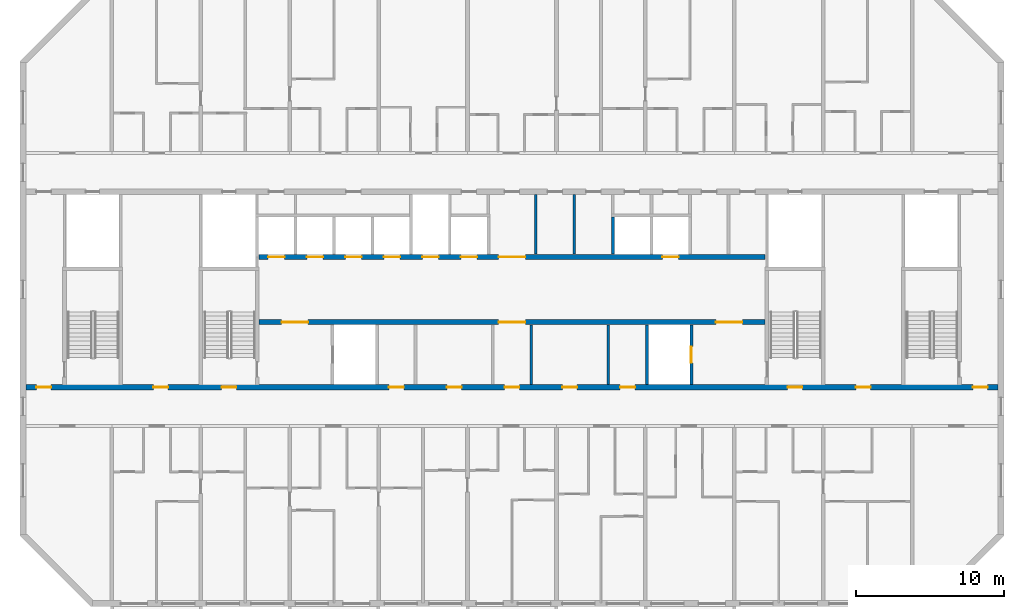
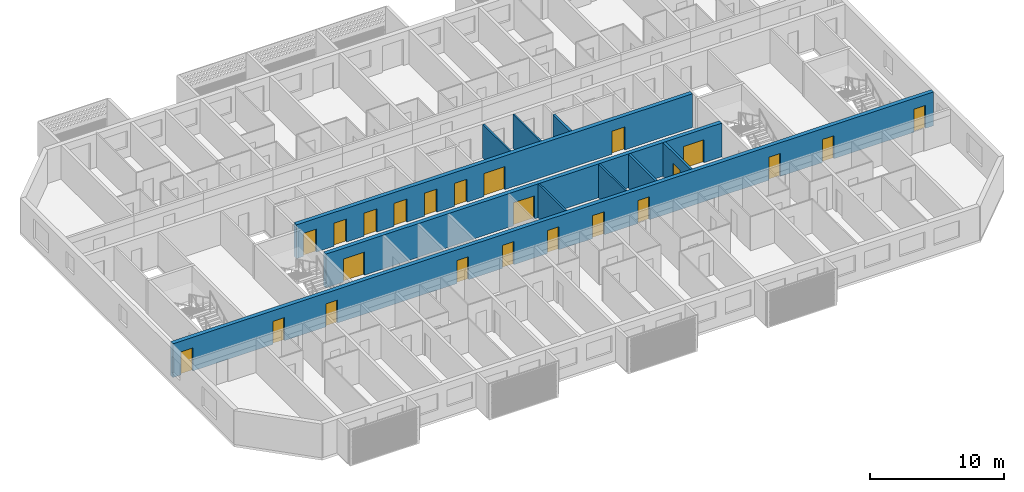
# One storey, part 6 of 29: 23 doors, 10 walls, 23 openings.
"""IFC4 building model written with IfcOpenShell, lengths in metres."""

from ifc_helpers import new_model, si_unit, direction, frame, frame_2d, origin, place, context, subcontext, project, spatial, rectangle, extrude, material, layer, layer_set, type_object, element, fill, save


model = new_model("IFC4")

# Units and contexts
model_context = context("Model", 3, precision=1e-05, world=origin(), true_north=direction((0.0, 1.0)))
body_context = subcontext(model_context, "Body", "Model", "MODEL_VIEW")
ifc_project = project(units=[si_unit("LENGTHUNIT", "METRE"), si_unit("AREAUNIT", "SQUARE_METRE"), si_unit("VOLUMEUNIT", "CUBIC_METRE"), si_unit("PLANEANGLEUNIT", "RADIAN"), si_unit("MASSUNIT", "GRAM", prefix="KILO")], contexts=[model_context])

# Site, building, storey
site_placement = place(None, origin())
site = spatial("IfcSite", under=ifc_project, at=site_placement, CompositionType="ELEMENT")
building_placement = place(site_placement, origin())
building = spatial("IfcBuilding", under=site, at=building_placement, Name="Poui Terraces", CompositionType="ELEMENT")
storey_placement = place(building_placement, frame((0.0, 0.0, 237.89990234375)))
storey = spatial("IfcBuildingStorey", under=building, at=storey_placement, Name="L66", CompositionType="ELEMENT", Elevation=237.89990234375)

# Wall, openings, doors
ifc_material_1 = material(Name="Concrete 50 MPa", Category="concrete")
ifc_layer_1 = layer(ifc_material_1, 0.35009765625)
ifc_layer_set_1 = layer_set([ifc_layer_1], Name="Concrete 50 MPa")
wall_type_1 = type_object("IfcWallType", Name="CORE WALL 350 50 MPA", PredefinedType="SOLIDWALL", material=ifc_layer_set_1)
wall_1_placement = place(storey_placement, frame((33.925048828125, 19.0, 0.0), z_axis=(0.0, 0.0, 1.0), x_axis=(1.0, 0.0, 0.0)))
wall_1 = element("IfcWall", 1, at=wall_1_placement, inside=storey, type_object=wall_type_1, Name="CORE WALL", PredefinedType="SOLIDWALL", context=body_context, shape_type="SweptSolid", body=[
    extrude(rectangle(XDim=34.14990234375, YDim=0.35009765625, at=frame_2d((17.074951171875, 0.0))), origin(), (0.0, 0.0, 1.0), 3.080078125),
])
opening_1_placement = place(wall_1_placement, frame((16.175048828125, 0.0, 0.0)))
opening_1 = element("IfcOpeningElement", 2, at=opening_1_placement, cuts=wall_1, Name="Opening FDD60", PredefinedType="OPENING", context=body_context, shape_type="SweptSolid", body=[
    extrude(rectangle(XDim=1.800048828125, YDim=2.10009765625, at=frame_2d((0.89990234375, 1.050048828125))), frame((0.0, 0.18505859375, 0.0), z_axis=(0.0, -1.0, 0.0), x_axis=(1.0, 0.0, 0.0)), (0.0, 0.0, 1.0), 0.3701171875),
])
opening_2_placement = place(wall_1_placement, frame((1.52490234375, 0.0, 0.0)))
opening_2 = element("IfcOpeningElement", 3, at=opening_2_placement, cuts=wall_1, Name="Opening FDD60", PredefinedType="OPENING", context=body_context, shape_type="SweptSolid", body=[
    extrude(rectangle(XDim=1.800048828125, YDim=2.10009765625, at=frame_2d((0.89990234375, 1.050048828125))), frame((0.0, 0.18505859375, 0.0), z_axis=(0.0, -1.0, 0.0), x_axis=(1.0, 0.0, 0.0)), (0.0, 0.0, 1.0), 0.3701171875),
])
opening_3_placement = place(wall_1_placement, frame((30.824951171875, 0.0, 0.0)))
opening_3 = element("IfcOpeningElement", 4, at=opening_3_placement, cuts=wall_1, Name="Opening FDD60", PredefinedType="OPENING", context=body_context, shape_type="SweptSolid", body=[
    extrude(rectangle(XDim=1.800048828125, YDim=2.10009765625, at=frame_2d((0.89990234375, 1.050048828125))), frame((0.0, 0.18505859375, 0.0), z_axis=(0.0, -1.0, 0.0), x_axis=(1.0, 0.0, 0.0)), (0.0, 0.0, 1.0), 0.3701171875),
])
ifc_material_2 = material(Name="Steel fire door", Category="steel")
door_type_1 = type_object("IfcDoorType", Name="DOUBLE LOBBY FIRE DOOR 1800 X 2100", OperationType="DOUBLE_DOOR_SINGLE_SWING", PredefinedType="DOOR", material=ifc_material_2)
door_1_placement = place(opening_1_placement, frame((1.800048828125, 0.0, 0.0), z_axis=(0.0, 0.0, 1.0), x_axis=(-1.0, 0.0, 0.0)))
door_1 = element("IfcDoor", 5, at=door_1_placement, inside=storey, type_object=door_type_1, Name="DOUBLE LOBBY FIRE DOOR 105", OperationType="DOUBLE_DOOR_SINGLE_SWING", OverallHeight=2.10009765625, OverallWidth=1.800048828125, PredefinedType="DOOR", context=body_context, shape_type="SweptSolid", body=[
    extrude(rectangle(XDim=1.800048828125, YDim=2.10009765625, at=frame_2d((0.89990234375, 1.050048828125))), frame((0.0, 0.02490234375, 0.0), z_axis=(0.0, -1.0, 0.0), x_axis=(1.0, 0.0, 0.0)), (0.0, 0.0, 1.0), 0.050048828125),
])
fill(opening_1, door_1)
door_2_placement = place(opening_2_placement, origin())
door_2 = element("IfcDoor", 6, at=door_2_placement, inside=storey, type_object=door_type_1, Name="DOUBLE LOBBY FIRE DOOR 107", OperationType="DOUBLE_DOOR_SINGLE_SWING", OverallHeight=2.10009765625, OverallWidth=1.800048828125, PredefinedType="DOOR", context=body_context, shape_type="SweptSolid", body=[
    extrude(rectangle(XDim=1.800048828125, YDim=2.10009765625, at=frame_2d((0.89990234375, 1.050048828125))), frame((0.0, 0.02490234375, 0.0), z_axis=(0.0, -1.0, 0.0), x_axis=(1.0, 0.0, 0.0)), (0.0, 0.0, 1.0), 0.050048828125),
])
fill(opening_2, door_2)
door_3_placement = place(opening_3_placement, origin())
door_3 = element("IfcDoor", 7, at=door_3_placement, inside=storey, type_object=door_type_1, Name="DOUBLE LOBBY FIRE DOOR 114", OperationType="DOUBLE_DOOR_SINGLE_SWING", OverallHeight=2.10009765625, OverallWidth=1.800048828125, PredefinedType="DOOR", context=body_context, shape_type="SweptSolid", body=[
    extrude(rectangle(XDim=1.800048828125, YDim=2.10009765625, at=frame_2d((0.89990234375, 1.050048828125))), frame((0.0, 0.02490234375, 0.0), z_axis=(0.0, -1.0, 0.0), x_axis=(1.0, 0.0, 0.0)), (0.0, 0.0, 1.0), 0.050048828125),
])
fill(opening_3, door_3)

wall_2_placement = place(storey_placement, frame((33.925048828125, 23.39990234375, 0.0), z_axis=(0.0, 0.0, 1.0), x_axis=(1.0, 0.0, 0.0)))
wall_2 = element("IfcWall", 8, at=wall_2_placement, inside=storey, type_object=wall_type_1, Name="CORE WALL", PredefinedType="SOLIDWALL", context=body_context, shape_type="SweptSolid", body=[
    extrude(rectangle(XDim=34.14990234375, YDim=0.35009765625, at=frame_2d((17.074951171875, 0.0))), origin(), (0.0, 0.0, 1.0), 3.080078125),
])
opening_4_placement = place(wall_2_placement, frame((16.175048828125, 0.0, 0.0)))
opening_4 = element("IfcOpeningElement", 9, at=opening_4_placement, cuts=wall_2, Name="Opening FDD60", PredefinedType="OPENING", context=body_context, shape_type="SweptSolid", body=[
    extrude(rectangle(XDim=1.800048828125, YDim=2.10009765625, at=frame_2d((0.89990234375, 1.050048828125))), frame((0.0, 0.18505859375, 0.0), z_axis=(0.0, -1.0, 0.0), x_axis=(1.0, 0.0, 0.0)), (0.0, 0.0, 1.0), 0.3701171875),
])
opening_5_placement = place(wall_2_placement, frame((0.625, 0.0, 0.0)))
opening_5 = element("IfcOpeningElement", 10, at=opening_5_placement, cuts=wall_2, Name="Opening LD", PredefinedType="OPENING", context=body_context, shape_type="SweptSolid", body=[
    extrude(rectangle(XDim=1.10009765625, YDim=2.10009765625, at=frame_2d((0.550048828125, 1.050048828125))), frame((0.0, 0.18505859375, 0.0), z_axis=(0.0, -1.0, 0.0), x_axis=(1.0, 0.0, 0.0)), (0.0, 0.0, 1.0), 0.3701171875),
])
opening_6_placement = place(wall_2_placement, frame((3.22509765625, 0.0, 0.0)))
opening_6 = element("IfcOpeningElement", 11, at=opening_6_placement, cuts=wall_2, Name="Opening LD", PredefinedType="OPENING", context=body_context, shape_type="SweptSolid", body=[
    extrude(rectangle(XDim=1.10009765625, YDim=2.10009765625, at=frame_2d((0.550048828125, 1.050048828125))), frame((0.0, 0.18505859375, 0.0), z_axis=(0.0, -1.0, 0.0), x_axis=(1.0, 0.0, 0.0)), (0.0, 0.0, 1.0), 0.3701171875),
])
opening_7_placement = place(wall_2_placement, frame((5.824951171875, 0.0, 0.0)))
opening_7 = element("IfcOpeningElement", 12, at=opening_7_placement, cuts=wall_2, Name="Opening LD", PredefinedType="OPENING", context=body_context, shape_type="SweptSolid", body=[
    extrude(rectangle(XDim=1.10009765625, YDim=2.10009765625, at=frame_2d((0.550048828125, 1.050048828125))), frame((0.0, 0.18505859375, 0.0), z_axis=(0.0, -1.0, 0.0), x_axis=(1.0, 0.0, 0.0)), (0.0, 0.0, 1.0), 0.3701171875),
])
opening_8_placement = place(wall_2_placement, frame((8.425048828125, 0.0, 0.0)))
opening_8 = element("IfcOpeningElement", 13, at=opening_8_placement, cuts=wall_2, Name="Opening LD", PredefinedType="OPENING", context=body_context, shape_type="SweptSolid", body=[
    extrude(rectangle(XDim=1.10009765625, YDim=2.10009765625, at=frame_2d((0.550048828125, 1.050048828125))), frame((0.0, 0.18505859375, 0.0), z_axis=(0.0, -1.0, 0.0), x_axis=(1.0, 0.0, 0.0)), (0.0, 0.0, 1.0), 0.3701171875),
])
opening_9_placement = place(wall_2_placement, frame((11.02490234375, 0.0, 0.0)))
opening_9 = element("IfcOpeningElement", 14, at=opening_9_placement, cuts=wall_2, Name="Opening LD", PredefinedType="OPENING", context=body_context, shape_type="SweptSolid", body=[
    extrude(rectangle(XDim=1.10009765625, YDim=2.10009765625, at=frame_2d((0.550048828125, 1.050048828125))), frame((0.0, 0.18505859375, 0.0), z_axis=(0.0, -1.0, 0.0), x_axis=(1.0, 0.0, 0.0)), (0.0, 0.0, 1.0), 0.3701171875),
])
opening_10_placement = place(wall_2_placement, frame((13.625, 0.0, 0.0)))
opening_10 = element("IfcOpeningElement", 15, at=opening_10_placement, cuts=wall_2, Name="Opening LD", PredefinedType="OPENING", context=body_context, shape_type="SweptSolid", body=[
    extrude(rectangle(XDim=1.10009765625, YDim=2.10009765625, at=frame_2d((0.550048828125, 1.050048828125))), frame((0.0, 0.18505859375, 0.0), z_axis=(0.0, -1.0, 0.0), x_axis=(1.0, 0.0, 0.0)), (0.0, 0.0, 1.0), 0.3701171875),
])
opening_11_placement = place(wall_2_placement, frame((27.22509765625, 0.0, 0.0)))
opening_11 = element("IfcOpeningElement", 16, at=opening_11_placement, cuts=wall_2, Name="Opening LD", PredefinedType="OPENING", context=body_context, shape_type="SweptSolid", body=[
    extrude(rectangle(XDim=1.10009765625, YDim=2.10009765625, at=frame_2d((0.550048828125, 1.050048828125))), frame((0.0, 0.18505859375, 0.0), z_axis=(0.0, -1.0, 0.0), x_axis=(1.0, 0.0, 0.0)), (0.0, 0.0, 1.0), 0.3701171875),
])
door_4_placement = place(opening_4_placement, origin())
door_4 = element("IfcDoor", 17, at=door_4_placement, inside=storey, type_object=door_type_1, Name="DOUBLE LOBBY FIRE DOOR 104", OperationType="DOUBLE_DOOR_SINGLE_SWING", OverallHeight=2.10009765625, OverallWidth=1.800048828125, PredefinedType="DOOR", context=body_context, shape_type="SweptSolid", body=[
    extrude(rectangle(XDim=1.800048828125, YDim=2.10009765625, at=frame_2d((0.89990234375, 1.050048828125))), frame((0.0, 0.02490234375, 0.0), z_axis=(0.0, -1.0, 0.0), x_axis=(1.0, 0.0, 0.0)), (0.0, 0.0, 1.0), 0.050048828125),
])
fill(opening_4, door_4)
ifc_material_3 = material(Name="Stainless steel sliding door", Category="steel")
door_type_2 = type_object("IfcDoorType", Name="LIFT LANDING DOOR 1100 X 2100", OperationType="DOUBLE_DOOR_SLIDING", PredefinedType="DOOR", material=ifc_material_3)
door_5_placement = place(opening_5_placement, origin())
door_5 = element("IfcDoor", 18, at=door_5_placement, inside=storey, type_object=door_type_2, Name="LANDING DOOR", OperationType="DOUBLE_DOOR_SLIDING", OverallHeight=2.10009765625, OverallWidth=1.10009765625, PredefinedType="DOOR", context=body_context, shape_type="SweptSolid", body=[
    extrude(rectangle(XDim=1.10009765625, YDim=2.10009765625, at=frame_2d((0.550048828125, 1.050048828125))), frame((0.0, 0.02490234375, 0.0), z_axis=(0.0, -1.0, 0.0), x_axis=(1.0, 0.0, 0.0)), (0.0, 0.0, 1.0), 0.050048828125),
])
fill(opening_5, door_5)
door_6_placement = place(opening_6_placement, origin())
door_6 = element("IfcDoor", 19, at=door_6_placement, inside=storey, type_object=door_type_2, Name="LANDING DOOR", OperationType="DOUBLE_DOOR_SLIDING", OverallHeight=2.10009765625, OverallWidth=1.10009765625, PredefinedType="DOOR", context=body_context, shape_type="SweptSolid", body=[
    extrude(rectangle(XDim=1.10009765625, YDim=2.10009765625, at=frame_2d((0.550048828125, 1.050048828125))), frame((0.0, 0.02490234375, 0.0), z_axis=(0.0, -1.0, 0.0), x_axis=(1.0, 0.0, 0.0)), (0.0, 0.0, 1.0), 0.050048828125),
])
fill(opening_6, door_6)
door_7_placement = place(opening_7_placement, origin())
door_7 = element("IfcDoor", 20, at=door_7_placement, inside=storey, type_object=door_type_2, Name="LANDING DOOR", OperationType="DOUBLE_DOOR_SLIDING", OverallHeight=2.10009765625, OverallWidth=1.10009765625, PredefinedType="DOOR", context=body_context, shape_type="SweptSolid", body=[
    extrude(rectangle(XDim=1.10009765625, YDim=2.10009765625, at=frame_2d((0.550048828125, 1.050048828125))), frame((0.0, 0.02490234375, 0.0), z_axis=(0.0, -1.0, 0.0), x_axis=(1.0, 0.0, 0.0)), (0.0, 0.0, 1.0), 0.050048828125),
])
fill(opening_7, door_7)
door_8_placement = place(opening_8_placement, origin())
door_8 = element("IfcDoor", 21, at=door_8_placement, inside=storey, type_object=door_type_2, Name="LANDING DOOR", OperationType="DOUBLE_DOOR_SLIDING", OverallHeight=2.10009765625, OverallWidth=1.10009765625, PredefinedType="DOOR", context=body_context, shape_type="SweptSolid", body=[
    extrude(rectangle(XDim=1.10009765625, YDim=2.10009765625, at=frame_2d((0.550048828125, 1.050048828125))), frame((0.0, 0.02490234375, 0.0), z_axis=(0.0, -1.0, 0.0), x_axis=(1.0, 0.0, 0.0)), (0.0, 0.0, 1.0), 0.050048828125),
])
fill(opening_8, door_8)
door_9_placement = place(opening_9_placement, origin())
door_9 = element("IfcDoor", 22, at=door_9_placement, inside=storey, type_object=door_type_2, Name="LANDING DOOR", OperationType="DOUBLE_DOOR_SLIDING", OverallHeight=2.10009765625, OverallWidth=1.10009765625, PredefinedType="DOOR", context=body_context, shape_type="SweptSolid", body=[
    extrude(rectangle(XDim=1.10009765625, YDim=2.10009765625, at=frame_2d((0.550048828125, 1.050048828125))), frame((0.0, 0.02490234375, 0.0), z_axis=(0.0, -1.0, 0.0), x_axis=(1.0, 0.0, 0.0)), (0.0, 0.0, 1.0), 0.050048828125),
])
fill(opening_9, door_9)
door_10_placement = place(opening_10_placement, origin())
door_10 = element("IfcDoor", 23, at=door_10_placement, inside=storey, type_object=door_type_2, Name="LANDING DOOR", OperationType="DOUBLE_DOOR_SLIDING", OverallHeight=2.10009765625, OverallWidth=1.10009765625, PredefinedType="DOOR", context=body_context, shape_type="SweptSolid", body=[
    extrude(rectangle(XDim=1.10009765625, YDim=2.10009765625, at=frame_2d((0.550048828125, 1.050048828125))), frame((0.0, 0.02490234375, 0.0), z_axis=(0.0, -1.0, 0.0), x_axis=(1.0, 0.0, 0.0)), (0.0, 0.0, 1.0), 0.050048828125),
])
fill(opening_10, door_10)
door_11_placement = place(opening_11_placement, origin())
door_11 = element("IfcDoor", 24, at=door_11_placement, inside=storey, type_object=door_type_2, Name="LANDING DOOR", OperationType="DOUBLE_DOOR_SLIDING", OverallHeight=2.10009765625, OverallWidth=1.10009765625, PredefinedType="DOOR", context=body_context, shape_type="SweptSolid", body=[
    extrude(rectangle(XDim=1.10009765625, YDim=2.10009765625, at=frame_2d((0.550048828125, 1.050048828125))), frame((0.0, 0.02490234375, 0.0), z_axis=(0.0, -1.0, 0.0), x_axis=(1.0, 0.0, 0.0)), (0.0, 0.0, 1.0), 0.050048828125),
])
fill(opening_11, door_11)

# Walls
ifc_material_4 = material(Name="Fire-rated plasterboard wall")
ifc_layer_2 = layer(ifc_material_4, 0.14990234375)
ifc_layer_set_2 = layer_set([ifc_layer_2], Name="Fire-rated plasterboard wall")
wall_type_2 = type_object("IfcWallType", Name="CORRIDOR WALL 150", PredefinedType="PARTITIONING", material=ifc_layer_set_2)
for number, where, z_axis, x_axis, name in (
    (25, (52.300048828125, 14.784912109375, 0.0), (0.0, 0.0, 1.0), (0.0, 1.0, 0.0), "CORRIDOR WALL 150"),
    (26, (52.60009765625, 23.5849609375, 0.0), (0.0, 0.0, 1.0), (0.0, 1.0, 0.0), "CORRIDOR WALL 150"),
):
    element("IfcWall", number, at=place(storey_placement, frame(where, z_axis=z_axis, x_axis=x_axis)), inside=storey, type_object=wall_type_2, Name=name, PredefinedType="PARTITIONING", context=body_context, shape_type="SweptSolid", body=[
        extrude(rectangle(XDim=4.030029296875, YDim=0.14990234375, at=frame_2d((2.01513671875, 0.0))), origin(), (0.0, 0.0, 1.0), 3.080078125),
    ])
ifc_material_5 = material(Name="Plasterboard partition")
ifc_layer_3 = layer(ifc_material_5, 0.14990234375)
ifc_layer_set_3 = layer_set([ifc_layer_3], Name="Plasterboard partition")
wall_type_3 = type_object("IfcWallType", Name="PARTITION WALL 150", PredefinedType="PARTITIONING", material=ifc_layer_set_3)
for number, where, z_axis, x_axis, name in (
    (27, (55.199951171875, 23.5849609375, 0.0), (0.0, 0.0, 1.0), (0.0, 1.0, 0.0), "PARTITION WALL 150"),
    (28, (57.5, 14.784912109375, 0.0), (0.0, 0.0, 1.0), (0.0, 1.0, 0.0), "PARTITION WALL 150"),
):
    element("IfcWall", number, at=place(storey_placement, frame(where, z_axis=z_axis, x_axis=x_axis)), inside=storey, type_object=wall_type_3, Name=name, PredefinedType="PARTITIONING", context=body_context, shape_type="SweptSolid", body=[
        extrude(rectangle(XDim=4.030029296875, YDim=0.14990234375, at=frame_2d((2.01513671875, 0.0))), origin(), (0.0, 0.0, 1.0), 3.080078125),
    ])
ifc_material_6 = material(Name="Fire-rated masonry shaft wall", Category="masonry")
ifc_layer_4 = layer(ifc_material_6, 0.199951171875)
ifc_layer_set_4 = layer_set([ifc_layer_4], Name="Fire-rated masonry shaft wall")
wall_type_4 = type_object("IfcWallType", Name="SHAFT WALL 200", PredefinedType="PARTITIONING", material=ifc_layer_set_4)
wall_3_placement = place(storey_placement, frame((57.800048828125, 23.5849609375, 0.0), z_axis=(0.0, 0.0, 1.0), x_axis=(0.0, 1.0, 0.0)))
element("IfcWall", 29, at=wall_3_placement, inside=storey, type_object=wall_type_4, Name="SHAFT WALL 200", PredefinedType="PARTITIONING", context=body_context, shape_type="SweptSolid", body=[
    extrude(rectangle(XDim=2.51513671875, YDim=0.199951171875, at=frame_2d((1.257568359375, 0.0))), origin(), (0.0, 0.0, 1.0), 3.080078125),
])
wall_4_placement = place(storey_placement, frame((60.10009765625, 14.784912109375, 0.0), z_axis=(0.0, 0.0, 1.0), x_axis=(0.0, 1.0, 0.0)))
element("IfcWall", 30, at=wall_4_placement, inside=storey, type_object=wall_type_4, Name="SHAFT WALL 200", PredefinedType="PARTITIONING", context=body_context, shape_type="SweptSolid", body=[
    extrude(rectangle(XDim=4.030029296875, YDim=0.199951171875, at=frame_2d((2.01513671875, 0.0))), origin(), (0.0, 0.0, 1.0), 3.080078125),
])

# Wall, opening, door
wall_5_placement = place(storey_placement, frame((63.10009765625, 14.784912109375, 0.0), z_axis=(0.0, 0.0, 1.0), x_axis=(0.0, 1.0, 0.0)))
wall_5 = element("IfcWall", 31, at=wall_5_placement, inside=storey, type_object=wall_type_4, Name="SHAFT WALL 200", PredefinedType="PARTITIONING", context=body_context, shape_type="SweptSolid", body=[
    extrude(rectangle(XDim=4.030029296875, YDim=0.199951171875, at=frame_2d((2.01513671875, 0.0))), origin(), (0.0, 0.0, 1.0), 3.080078125),
])
opening_12_placement = place(wall_5_placement, frame((1.465087890625, 0.0, 0.0)))
opening_12 = element("IfcOpeningElement", 32, at=opening_12_placement, cuts=wall_5, Name="Opening LD", PredefinedType="OPENING", context=body_context, shape_type="SweptSolid", body=[
    extrude(rectangle(XDim=1.10009765625, YDim=2.10009765625, at=frame_2d((0.550048828125, 1.050048828125))), frame((0.0, 0.10986328125, 0.0), z_axis=(0.0, -1.0, 0.0), x_axis=(1.0, 0.0, 0.0)), (0.0, 0.0, 1.0), 0.219970703125),
])
door_12_placement = place(opening_12_placement, origin())
door_12 = element("IfcDoor", 33, at=door_12_placement, inside=storey, type_object=door_type_2, Name="LANDING DOOR", OperationType="DOUBLE_DOOR_SLIDING", OverallHeight=2.10009765625, OverallWidth=1.10009765625, PredefinedType="DOOR", context=body_context, shape_type="SweptSolid", body=[
    extrude(rectangle(XDim=1.10009765625, YDim=2.10009765625, at=frame_2d((0.550048828125, 1.050048828125))), frame((0.0, 0.02490234375, 0.0), z_axis=(0.0, -1.0, 0.0), x_axis=(1.0, 0.0, 0.0)), (0.0, 0.0, 1.0), 0.050048828125),
])
fill(opening_12, door_12)

# Wall, openings, doors
ifc_layer_5 = layer(ifc_material_1, 0.35009765625)
ifc_layer_set_5 = layer_set([ifc_layer_5], Name="Concrete 50 MPa")
wall_type_5 = type_object("IfcWallType", Name="SPINE WALL 350 50 MPA", PredefinedType="SOLIDWALL", material=ifc_layer_set_5)
wall_6_placement = place(storey_placement, frame((18.199951171875, 14.60009765625, 0.0), z_axis=(0.0, 0.0, 1.0), x_axis=(1.0, 0.0, 0.0)))
wall_6 = element("IfcWall", 34, at=wall_6_placement, inside=storey, type_object=wall_type_5, Name="SPINE WALL", PredefinedType="SOLIDWALL", context=body_context, shape_type="SweptSolid", body=[
    extrude(rectangle(XDim=65.60009765625, YDim=0.35009765625, at=frame_2d((32.800048828125, 0.0))), origin(), (0.0, 0.0, 1.0), 3.080078125),
])
opening_13_placement = place(wall_6_placement, frame((0.699951171875, 0.0, 0.0)))
opening_13 = element("IfcOpeningElement", 35, at=opening_13_placement, cuts=wall_6, Name="Opening FDL", PredefinedType="OPENING", context=body_context, shape_type="SweptSolid", body=[
    extrude(rectangle(XDim=1.0, YDim=2.10009765625, at=frame_2d((0.5, 1.050048828125))), frame((0.0, 0.18505859375, 0.0), z_axis=(0.0, -1.0, 0.0), x_axis=(1.0, 0.0, 0.0)), (0.0, 0.0, 1.0), 0.3701171875),
])
opening_14_placement = place(wall_6_placement, frame((8.60009765625, 0.0, 0.0)))
opening_14 = element("IfcOpeningElement", 36, at=opening_14_placement, cuts=wall_6, Name="Opening D100", PredefinedType="OPENING", context=body_context, shape_type="SweptSolid", body=[
    extrude(rectangle(XDim=1.0, YDim=2.10009765625, at=frame_2d((0.5, 1.050048828125))), frame((0.0, 0.18505859375, 0.0), z_axis=(0.0, -1.0, 0.0), x_axis=(1.0, 0.0, 0.0)), (0.0, 0.0, 1.0), 0.3701171875),
])
opening_15_placement = place(wall_6_placement, frame((13.199951171875, 0.0, 0.0)))
opening_15 = element("IfcOpeningElement", 37, at=opening_15_placement, cuts=wall_6, Name="Opening FD60S", PredefinedType="OPENING", context=body_context, shape_type="SweptSolid", body=[
    extrude(rectangle(XDim=1.0, YDim=2.10009765625, at=frame_2d((0.5, 1.050048828125))), frame((0.0, 0.18505859375, 0.0), z_axis=(0.0, -1.0, 0.0), x_axis=(1.0, 0.0, 0.0)), (0.0, 0.0, 1.0), 0.3701171875),
])
opening_16_placement = place(wall_6_placement, frame((24.5, 0.0, 0.0)))
opening_16 = element("IfcOpeningElement", 38, at=opening_16_placement, cuts=wall_6, Name="Opening FD60", PredefinedType="OPENING", context=body_context, shape_type="SweptSolid", body=[
    extrude(rectangle(XDim=1.0, YDim=2.10009765625, at=frame_2d((0.5, 1.050048828125))), frame((0.0, 0.18505859375, 0.0), z_axis=(0.0, -1.0, 0.0), x_axis=(1.0, 0.0, 0.0)), (0.0, 0.0, 1.0), 0.3701171875),
])
opening_17_placement = place(wall_6_placement, frame((28.39990234375, 0.0, 0.0)))
opening_17 = element("IfcOpeningElement", 39, at=opening_17_placement, cuts=wall_6, Name="Opening FD60", PredefinedType="OPENING", context=body_context, shape_type="SweptSolid", body=[
    extrude(rectangle(XDim=1.0, YDim=2.10009765625, at=frame_2d((0.5, 1.050048828125))), frame((0.0, 0.18505859375, 0.0), z_axis=(0.0, -1.0, 0.0), x_axis=(1.0, 0.0, 0.0)), (0.0, 0.0, 1.0), 0.3701171875),
])
opening_18_placement = place(wall_6_placement, frame((32.300048828125, 0.0, 0.0)))
opening_18 = element("IfcOpeningElement", 40, at=opening_18_placement, cuts=wall_6, Name="Opening FDL", PredefinedType="OPENING", context=body_context, shape_type="SweptSolid", body=[
    extrude(rectangle(XDim=1.0, YDim=2.10009765625, at=frame_2d((0.5, 1.050048828125))), frame((0.0, 0.18505859375, 0.0), z_axis=(0.0, -1.0, 0.0), x_axis=(1.0, 0.0, 0.0)), (0.0, 0.0, 1.0), 0.3701171875),
])
opening_19_placement = place(wall_6_placement, frame((36.199951171875, 0.0, 0.0)))
opening_19 = element("IfcOpeningElement", 41, at=opening_19_placement, cuts=wall_6, Name="Opening FD60", PredefinedType="OPENING", context=body_context, shape_type="SweptSolid", body=[
    extrude(rectangle(XDim=1.0, YDim=2.10009765625, at=frame_2d((0.5, 1.050048828125))), frame((0.0, 0.18505859375, 0.0), z_axis=(0.0, -1.0, 0.0), x_axis=(1.0, 0.0, 0.0)), (0.0, 0.0, 1.0), 0.3701171875),
])
opening_20_placement = place(wall_6_placement, frame((40.10009765625, 0.0, 0.0)))
opening_20 = element("IfcOpeningElement", 42, at=opening_20_placement, cuts=wall_6, Name="Opening FD60", PredefinedType="OPENING", context=body_context, shape_type="SweptSolid", body=[
    extrude(rectangle(XDim=1.0, YDim=2.10009765625, at=frame_2d((0.5, 1.050048828125))), frame((0.0, 0.18505859375, 0.0), z_axis=(0.0, -1.0, 0.0), x_axis=(1.0, 0.0, 0.0)), (0.0, 0.0, 1.0), 0.3701171875),
])
opening_21_placement = place(wall_6_placement, frame((51.39990234375, 0.0, 0.0)))
opening_21 = element("IfcOpeningElement", 43, at=opening_21_placement, cuts=wall_6, Name="Opening FD60S", PredefinedType="OPENING", context=body_context, shape_type="SweptSolid", body=[
    extrude(rectangle(XDim=1.0, YDim=2.10009765625, at=frame_2d((0.5, 1.050048828125))), frame((0.0, 0.18505859375, 0.0), z_axis=(0.0, -1.0, 0.0), x_axis=(1.0, 0.0, 0.0)), (0.0, 0.0, 1.0), 0.3701171875),
])
opening_22_placement = place(wall_6_placement, frame((56.0, 0.0, 0.0)))
opening_22 = element("IfcOpeningElement", 44, at=opening_22_placement, cuts=wall_6, Name="Opening D100", PredefinedType="OPENING", context=body_context, shape_type="SweptSolid", body=[
    extrude(rectangle(XDim=1.0, YDim=2.10009765625, at=frame_2d((0.5, 1.050048828125))), frame((0.0, 0.18505859375, 0.0), z_axis=(0.0, -1.0, 0.0), x_axis=(1.0, 0.0, 0.0)), (0.0, 0.0, 1.0), 0.3701171875),
])
opening_23_placement = place(wall_6_placement, frame((63.89990234375, 0.0, 0.0)))
opening_23 = element("IfcOpeningElement", 45, at=opening_23_placement, cuts=wall_6, Name="Opening FDL", PredefinedType="OPENING", context=body_context, shape_type="SweptSolid", body=[
    extrude(rectangle(XDim=1.0, YDim=2.10009765625, at=frame_2d((0.5, 1.050048828125))), frame((0.0, 0.18505859375, 0.0), z_axis=(0.0, -1.0, 0.0), x_axis=(1.0, 0.0, 0.0)), (0.0, 0.0, 1.0), 0.3701171875),
])
ifc_material_7 = material(Name="Solid core timber door", Category="wood")
door_type_3 = type_object("IfcDoorType", Name="ACCESSIBLE INTERNAL DOOR 1000 X 2100", OperationType="NOTDEFINED", PredefinedType="DOOR", material=ifc_material_7)
door_13_placement = place(opening_14_placement, frame((1.0, 0.0, 0.0), z_axis=(0.0, 0.0, 1.0), x_axis=(-1.0, 0.0, 0.0)))
door_13 = element("IfcDoor", 46, at=door_13_placement, inside=storey, type_object=door_type_3, Name="ACCESSIBLE INTERNAL DOOR 018", OperationType="SINGLE_SWING_RIGHT", OverallHeight=2.10009765625, OverallWidth=1.0, PredefinedType="DOOR", context=body_context, shape_type="SweptSolid", body=[
    extrude(rectangle(XDim=1.0, YDim=2.10009765625, at=frame_2d((0.5, 1.050048828125))), frame((0.0, 0.02490234375, 0.0), z_axis=(0.0, -1.0, 0.0), x_axis=(1.0, 0.0, 0.0)), (0.0, 0.0, 1.0), 0.050048828125),
])
fill(opening_14, door_13)
door_14_placement = place(opening_22_placement, frame((1.0, 0.0, 0.0), z_axis=(0.0, 0.0, 1.0), x_axis=(-1.0, 0.0, 0.0)))
door_14 = element("IfcDoor", 47, at=door_14_placement, inside=storey, type_object=door_type_3, Name="ACCESSIBLE INTERNAL DOOR 026", OperationType="SINGLE_SWING_LEFT", OverallHeight=2.10009765625, OverallWidth=1.0, PredefinedType="DOOR", context=body_context, shape_type="SweptSolid", body=[
    extrude(rectangle(XDim=1.0, YDim=2.10009765625, at=frame_2d((0.5, 1.050048828125))), frame((0.0, 0.02490234375, 0.0), z_axis=(0.0, -1.0, 0.0), x_axis=(1.0, 0.0, 0.0)), (0.0, 0.0, 1.0), 0.050048828125),
])
fill(opening_22, door_14)
door_type_4 = type_object("IfcDoorType", Name="LOBBY FIRE DOOR 1000 X 2100", OperationType="NOTDEFINED", PredefinedType="DOOR", material=ifc_material_2)
door_15_placement = place(opening_13_placement, frame((1.0, 0.0, 0.0), z_axis=(0.0, 0.0, 1.0), x_axis=(-1.0, 0.0, 0.0)))
door_15 = element("IfcDoor", 48, at=door_15_placement, inside=storey, type_object=door_type_4, Name="LOBBY FIRE DOOR 017", OperationType="SINGLE_SWING_RIGHT", OverallHeight=2.10009765625, OverallWidth=1.0, PredefinedType="DOOR", context=body_context, shape_type="SweptSolid", body=[
    extrude(rectangle(XDim=1.0, YDim=2.10009765625, at=frame_2d((0.5, 1.050048828125))), frame((0.0, 0.02490234375, 0.0), z_axis=(0.0, -1.0, 0.0), x_axis=(1.0, 0.0, 0.0)), (0.0, 0.0, 1.0), 0.050048828125),
])
fill(opening_13, door_15)
door_16_placement = place(opening_18_placement, frame((1.0, 0.0, 0.0), z_axis=(0.0, 0.0, 1.0), x_axis=(-1.0, 0.0, 0.0)))
door_16 = element("IfcDoor", 49, at=door_16_placement, inside=storey, type_object=door_type_4, Name="LOBBY FIRE DOOR 022", OperationType="SINGLE_SWING_LEFT", OverallHeight=2.10009765625, OverallWidth=1.0, PredefinedType="DOOR", context=body_context, shape_type="SweptSolid", body=[
    extrude(rectangle(XDim=1.0, YDim=2.10009765625, at=frame_2d((0.5, 1.050048828125))), frame((0.0, 0.02490234375, 0.0), z_axis=(0.0, -1.0, 0.0), x_axis=(1.0, 0.0, 0.0)), (0.0, 0.0, 1.0), 0.050048828125),
])
fill(opening_18, door_16)
door_17_placement = place(opening_23_placement, frame((1.0, 0.0, 0.0), z_axis=(0.0, 0.0, 1.0), x_axis=(-1.0, 0.0, 0.0)))
door_17 = element("IfcDoor", 50, at=door_17_placement, inside=storey, type_object=door_type_4, Name="LOBBY FIRE DOOR 027", OperationType="SINGLE_SWING_LEFT", OverallHeight=2.10009765625, OverallWidth=1.0, PredefinedType="DOOR", context=body_context, shape_type="SweptSolid", body=[
    extrude(rectangle(XDim=1.0, YDim=2.10009765625, at=frame_2d((0.5, 1.050048828125))), frame((0.0, 0.02490234375, 0.0), z_axis=(0.0, -1.0, 0.0), x_axis=(1.0, 0.0, 0.0)), (0.0, 0.0, 1.0), 0.050048828125),
])
fill(opening_23, door_17)
door_type_5 = type_object("IfcDoorType", Name="SERVICE ROOM FIRE DOOR 1000 X 2100", OperationType="NOTDEFINED", PredefinedType="DOOR", material=ifc_material_2)
door_18_placement = place(opening_16_placement, frame((1.0, 0.0, 0.0), z_axis=(0.0, 0.0, 1.0), x_axis=(-1.0, 0.0, 0.0)))
door_18 = element("IfcDoor", 51, at=door_18_placement, inside=storey, type_object=door_type_5, Name="SERVICE ROOM FIRE DOOR 020", OperationType="SINGLE_SWING_LEFT", OverallHeight=2.10009765625, OverallWidth=1.0, PredefinedType="DOOR", context=body_context, shape_type="SweptSolid", body=[
    extrude(rectangle(XDim=1.0, YDim=2.10009765625, at=frame_2d((0.5, 1.050048828125))), frame((0.0, 0.02490234375, 0.0), z_axis=(0.0, -1.0, 0.0), x_axis=(1.0, 0.0, 0.0)), (0.0, 0.0, 1.0), 0.050048828125),
])
fill(opening_16, door_18)
door_19_placement = place(opening_17_placement, frame((1.0, 0.0, 0.0), z_axis=(0.0, 0.0, 1.0), x_axis=(-1.0, 0.0, 0.0)))
door_19 = element("IfcDoor", 52, at=door_19_placement, inside=storey, type_object=door_type_5, Name="SERVICE ROOM FIRE DOOR 021", OperationType="SINGLE_SWING_RIGHT", OverallHeight=2.10009765625, OverallWidth=1.0, PredefinedType="DOOR", context=body_context, shape_type="SweptSolid", body=[
    extrude(rectangle(XDim=1.0, YDim=2.10009765625, at=frame_2d((0.5, 1.050048828125))), frame((0.0, 0.02490234375, 0.0), z_axis=(0.0, -1.0, 0.0), x_axis=(1.0, 0.0, 0.0)), (0.0, 0.0, 1.0), 0.050048828125),
])
fill(opening_17, door_19)
door_20_placement = place(opening_19_placement, frame((1.0, 0.0, 0.0), z_axis=(0.0, 0.0, 1.0), x_axis=(-1.0, 0.0, 0.0)))
door_20 = element("IfcDoor", 53, at=door_20_placement, inside=storey, type_object=door_type_5, Name="SERVICE ROOM FIRE DOOR 023", OperationType="SINGLE_SWING_LEFT", OverallHeight=2.10009765625, OverallWidth=1.0, PredefinedType="DOOR", context=body_context, shape_type="SweptSolid", body=[
    extrude(rectangle(XDim=1.0, YDim=2.10009765625, at=frame_2d((0.5, 1.050048828125))), frame((0.0, 0.02490234375, 0.0), z_axis=(0.0, -1.0, 0.0), x_axis=(1.0, 0.0, 0.0)), (0.0, 0.0, 1.0), 0.050048828125),
])
fill(opening_19, door_20)
door_21_placement = place(opening_20_placement, frame((1.0, 0.0, 0.0), z_axis=(0.0, 0.0, 1.0), x_axis=(-1.0, 0.0, 0.0)))
door_21 = element("IfcDoor", 54, at=door_21_placement, inside=storey, type_object=door_type_5, Name="SERVICE ROOM FIRE DOOR 024", OperationType="SINGLE_SWING_RIGHT", OverallHeight=2.10009765625, OverallWidth=1.0, PredefinedType="DOOR", context=body_context, shape_type="SweptSolid", body=[
    extrude(rectangle(XDim=1.0, YDim=2.10009765625, at=frame_2d((0.5, 1.050048828125))), frame((0.0, 0.02490234375, 0.0), z_axis=(0.0, -1.0, 0.0), x_axis=(1.0, 0.0, 0.0)), (0.0, 0.0, 1.0), 0.050048828125),
])
fill(opening_20, door_21)
door_type_6 = type_object("IfcDoorType", Name="STAIR DOOR 1000 X 2100", OperationType="NOTDEFINED", PredefinedType="DOOR", material=ifc_material_2)
door_22_placement = place(opening_15_placement, origin())
door_22 = element("IfcDoor", 55, at=door_22_placement, inside=storey, type_object=door_type_6, Name="STAIR DOOR 019", OperationType="SINGLE_SWING_RIGHT", OverallHeight=2.10009765625, OverallWidth=1.0, PredefinedType="DOOR", context=body_context, shape_type="SweptSolid", body=[
    extrude(rectangle(XDim=1.0, YDim=2.10009765625, at=frame_2d((0.5, 1.050048828125))), frame((0.0, 0.02490234375, 0.0), z_axis=(0.0, -1.0, 0.0), x_axis=(1.0, 0.0, 0.0)), (0.0, 0.0, 1.0), 0.050048828125),
])
fill(opening_15, door_22)
door_23_placement = place(opening_21_placement, origin())
door_23 = element("IfcDoor", 56, at=door_23_placement, inside=storey, type_object=door_type_6, Name="STAIR DOOR 025", OperationType="SINGLE_SWING_RIGHT", OverallHeight=2.10009765625, OverallWidth=1.0, PredefinedType="DOOR", context=body_context, shape_type="SweptSolid", body=[
    extrude(rectangle(XDim=1.0, YDim=2.10009765625, at=frame_2d((0.5, 1.050048828125))), frame((0.0, 0.02490234375, 0.0), z_axis=(0.0, -1.0, 0.0), x_axis=(1.0, 0.0, 0.0)), (0.0, 0.0, 1.0), 0.050048828125),
])
fill(opening_21, door_23)

save(model, "model.ifc")
